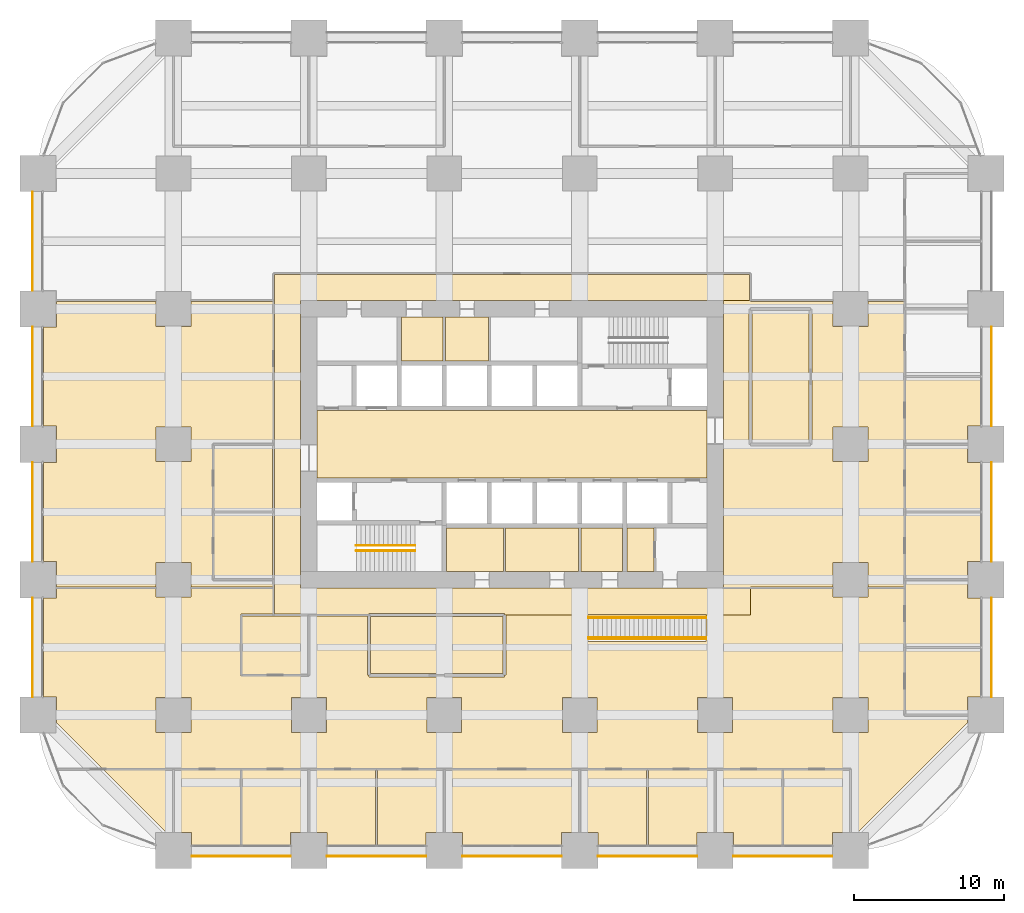
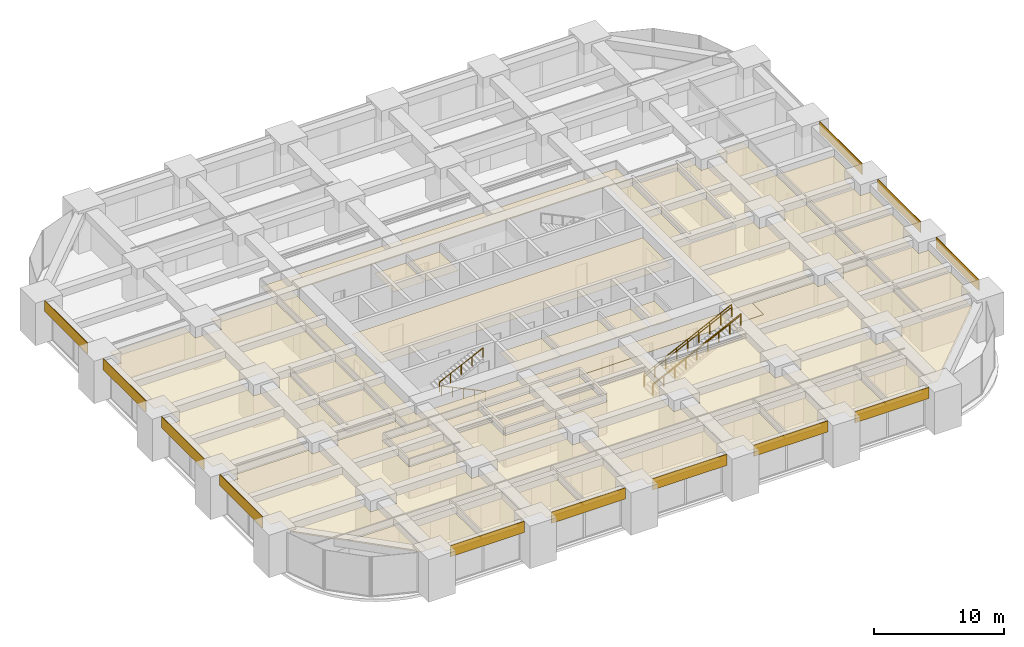
# One storey, part 44 of 45: 43 coverings, 6 railings.
"""IFC4 building model written with IfcOpenShell, lengths in metres."""

from ifc_helpers import new_model, si_unit, direction, frame, frame_2d, origin, origin_2d, place, context, subcontext, project, spatial, polyline, rectangle, circle, outline, extrude, material, layer, layer_set, type_object, element, save


model = new_model("IFC4")

# Units and contexts
model_context = context("Model", 3, precision=1e-05, world=origin(), true_north=direction((0.0, 1.0)))
body_context = subcontext(model_context, "Body", "Model", "MODEL_VIEW")
ifc_project = project(units=[si_unit("LENGTHUNIT", "METRE"), si_unit("AREAUNIT", "SQUARE_METRE"), si_unit("VOLUMEUNIT", "CUBIC_METRE"), si_unit("PLANEANGLEUNIT", "RADIAN"), si_unit("MASSUNIT", "GRAM", prefix="KILO")], contexts=[model_context])

# Site, building, storey
site_placement = place(None, origin())
site = spatial("IfcSite", under=ifc_project, at=site_placement, CompositionType="ELEMENT")
building_placement = place(site_placement, origin())
building = spatial("IfcBuilding", under=site, at=building_placement, Name="Zorevar Civic Tower", CompositionType="ELEMENT")
storey_placement = place(building_placement, frame((0.0, 0.0, 23.800048828125)))
storey = spatial("IfcBuildingStorey", under=building, at=storey_placement, Name="L05", CompositionType="ELEMENT", Elevation=23.800048828125)

# Railings
ifc_material_1 = material(Name="Laminated glass balustrade with black steel handrail", Category="steel")
railing_type_1 = type_object("IfcRailingType", Name="Balustrade BL1 1100", PredefinedType="BALUSTRADE", material=ifc_material_1)
for number, where, name in (
    (1, (36.60009765625, 14.080078125, 0.148193359375), "Balustrade BL1 interconnecting stair L05"),
    (2, (36.60009765625, 15.52001953125, 0.148193359375), "Balustrade BL1 interconnecting stair L05"),
):
    element("IfcRailing", number, at=place(storey_placement, frame(where)), inside=storey, type_object=railing_type_1, Name=name, PredefinedType="BALUSTRADE", context=body_context, shape_type="SweptSolid", body=[
        extrude(circle(Radius=0.02392578125, at=origin_2d()), frame((0.0, 0.0, 1.076171875), z_axis=(0.896627794226, 0.0, 0.442785047875), x_axis=(0.0, 1.0, 0.0)), (0.0, 0.0, 1.0), 8.698974609375),
        extrude(circle(Radius=0.02099609375, at=origin_2d()), origin(), (0.0, 0.0, 1.0), 1.052001953125),
        extrude(circle(Radius=0.02099609375, at=origin_2d()), frame((0.97509765625, 0.0, 0.4814453125)), (0.0, 0.0, 1.0), 1.052001953125),
        extrude(circle(Radius=0.02099609375, at=origin_2d()), frame((1.949951171875, 0.0, 0.962890625)), (0.0, 0.0, 1.0), 1.052001953125),
        extrude(circle(Radius=0.02099609375, at=origin_2d()), frame((2.9248046875, 0.0, 1.4443359375)), (0.0, 0.0, 1.0), 1.052001953125),
        extrude(circle(Radius=0.02099609375, at=origin_2d()), frame((3.89990234375, 0.0, 1.92578125)), (0.0, 0.0, 1.0), 1.052001953125),
        extrude(circle(Radius=0.02099609375, at=origin_2d()), frame((4.875, 0.0, 2.407470703125)), (0.0, 0.0, 1.0), 1.052001953125),
        extrude(circle(Radius=0.02099609375, at=origin_2d()), frame((5.849853515625, 0.0, 2.888916015625)), (0.0, 0.0, 1.0), 1.052001953125),
        extrude(circle(Radius=0.02099609375, at=origin_2d()), frame((6.82470703125, 0.0, 3.370361328125)), (0.0, 0.0, 1.0), 1.052001953125),
        extrude(circle(Radius=0.02099609375, at=origin_2d()), frame((7.7998046875, 0.0, 3.851806640625)), (0.0, 0.0, 1.0), 1.052001953125),
    ])
ifc_material_2 = material(Name="Black steel handrail", Category="steel")
railing_type_2 = type_object("IfcRailingType", Name="Handrail HR1 900", PredefinedType="HANDRAIL", material=ifc_material_2)
railing_1_placement = place(storey_placement, frame((25.050048828125, 19.925048828125, 0.142822265625)))
element("IfcRailing", 3, at=railing_1_placement, inside=storey, type_object=railing_type_2, Name="Handrail HR1 ST1 L05", PredefinedType="HANDRAIL", context=body_context, shape_type="SweptSolid", body=[
    extrude(circle(Radius=0.02392578125, at=origin_2d()), frame((0.0, 0.0, 0.8759765625), z_axis=(-0.902863652845, 0.0, 0.429926998885), x_axis=(0.0, -1.0, 0.0)), (0.0, 0.0, 1.0), 4.31982421875),
    extrude(circle(Radius=0.02099609375, at=origin_2d()), origin(), (0.0, 0.0, 1.0), 0.851806640625),
    extrude(circle(Radius=0.02099609375, at=origin_2d()), frame((-0.97509765625, 0.0, 0.46435546875)), (0.0, 0.0, 1.0), 0.851806640625),
    extrude(circle(Radius=0.02099609375, at=origin_2d()), frame((-1.9501953125, 0.0, 0.9287109375)), (0.0, 0.0, 1.0), 0.851806640625),
    extrude(circle(Radius=0.02099609375, at=origin_2d()), frame((-2.925048828125, 0.0, 1.392822265625)), (0.0, 0.0, 1.0), 0.851806640625),
    extrude(circle(Radius=0.02099609375, at=origin_2d()), frame((-3.900146484375, 0.0, 1.857177734375)), (0.0, 0.0, 1.0), 0.851806640625),
])
railing_2_placement = place(storey_placement, frame((21.14990234375, 20.27490234375, 2.142822265625)))
element("IfcRailing", 4, at=railing_2_placement, inside=storey, type_object=railing_type_2, Name="Handrail HR1 ST1 L05", PredefinedType="HANDRAIL", context=body_context, shape_type="SweptSolid", body=[
    extrude(circle(Radius=0.02392578125, at=origin_2d()), frame((0.0, 0.0, 0.8759765625), z_axis=(0.902863652845, 0.0, 0.429926998885), x_axis=(0.0, 1.0, 0.0)), (0.0, 0.0, 1.0), 4.31982421875),
    extrude(circle(Radius=0.02099609375, at=origin_2d()), origin(), (0.0, 0.0, 1.0), 0.851806640625),
    extrude(circle(Radius=0.02099609375, at=origin_2d()), frame((0.97509765625, 0.0, 0.46435546875)), (0.0, 0.0, 1.0), 0.851806640625),
    extrude(circle(Radius=0.02099609375, at=origin_2d()), frame((1.9501953125, 0.0, 0.9287109375)), (0.0, 0.0, 1.0), 0.851806640625),
    extrude(circle(Radius=0.02099609375, at=origin_2d()), frame((2.925048828125, 0.0, 1.392822265625)), (0.0, 0.0, 1.0), 0.851806640625),
    extrude(circle(Radius=0.02099609375, at=origin_2d()), frame((3.900146484375, 0.0, 1.857177734375)), (0.0, 0.0, 1.0), 0.851806640625),
])
for number, where, name in (
    (5, (36.60009765625, 14.14990234375, 0.148193359375), "Handrail HR1 interconnecting stair L05"),
    (6, (36.60009765625, 15.449951171875, 0.148193359375), "Handrail HR1 interconnecting stair L05"),
):
    element("IfcRailing", number, at=place(storey_placement, frame(where)), inside=storey, type_object=railing_type_2, Name=name, PredefinedType="HANDRAIL", context=body_context, shape_type="SweptSolid", body=[
        extrude(circle(Radius=0.02392578125, at=origin_2d()), frame((0.0, 0.0, 0.8759765625), z_axis=(0.896627794226, 0.0, 0.442785047875), x_axis=(0.0, 1.0, 0.0)), (0.0, 0.0, 1.0), 8.698974609375),
        extrude(circle(Radius=0.02099609375, at=origin_2d()), origin(), (0.0, 0.0, 1.0), 0.851806640625),
        extrude(circle(Radius=0.02099609375, at=origin_2d()), frame((0.97509765625, 0.0, 0.4814453125)), (0.0, 0.0, 1.0), 0.851806640625),
        extrude(circle(Radius=0.02099609375, at=origin_2d()), frame((1.949951171875, 0.0, 0.962890625)), (0.0, 0.0, 1.0), 0.851806640625),
        extrude(circle(Radius=0.02099609375, at=origin_2d()), frame((2.9248046875, 0.0, 1.4443359375)), (0.0, 0.0, 1.0), 0.851806640625),
        extrude(circle(Radius=0.02099609375, at=origin_2d()), frame((3.89990234375, 0.0, 1.92578125)), (0.0, 0.0, 1.0), 0.851806640625),
        extrude(circle(Radius=0.02099609375, at=origin_2d()), frame((4.875, 0.0, 2.407470703125)), (0.0, 0.0, 1.0), 0.851806640625),
        extrude(circle(Radius=0.02099609375, at=origin_2d()), frame((5.849853515625, 0.0, 2.888916015625)), (0.0, 0.0, 1.0), 0.851806640625),
        extrude(circle(Radius=0.02099609375, at=origin_2d()), frame((6.82470703125, 0.0, 3.370361328125)), (0.0, 0.0, 1.0), 0.851806640625),
        extrude(circle(Radius=0.02099609375, at=origin_2d()), frame((7.7998046875, 0.0, 3.851806640625)), (0.0, 0.0, 1.0), 0.851806640625),
    ])

# Coverings
ifc_material_3 = material(Name="Moisture-resistant gypsum board")
ifc_layer_1 = layer(ifc_material_3, 0.012451171875)
ifc_layer_set_1 = layer_set([ifc_layer_1], Name="Moisture-resistant ceiling SC3")
covering_type_1 = type_object("IfcCoveringType", Name="Moisture-resistant ceiling SC3", PredefinedType="CEILING", material=ifc_layer_set_1)
covering_1_placement = place(storey_placement, frame((0.0, 0.0, 3.0)))
element("IfcCovering", 7, at=covering_1_placement, inside=storey, type_object=covering_type_1, Name="Ceiling L05-05", PredefinedType="CEILING", context=body_context, shape_type="SweptSolid", body=[
    extrude(outline(polyline([(30.925048828125, 18.550048828125), (30.925048828125, 21.449951171875), (27.14990234375, 21.449951171875), (27.14990234375, 18.550048828125), (30.925048828125, 18.550048828125)])), origin(), (0.0, 0.0, 1.0), 0.012451171875),
])
covering_2_placement = place(storey_placement, frame((0.0, 0.0, 3.0)))
element("IfcCovering", 8, at=covering_2_placement, inside=storey, type_object=covering_type_1, Name="Ceiling L05-06", PredefinedType="CEILING", context=body_context, shape_type="SweptSolid", body=[
    extrude(outline(polyline([(35.925048828125, 18.550048828125), (35.925048828125, 21.449951171875), (31.074951171875, 21.449951171875), (31.074951171875, 18.550048828125), (35.925048828125, 18.550048828125)])), origin(), (0.0, 0.0, 1.0), 0.012451171875),
])
covering_3_placement = place(storey_placement, frame((0.0, 0.0, 3.0)))
element("IfcCovering", 9, at=covering_3_placement, inside=storey, type_object=covering_type_1, Name="Ceiling L05-07", PredefinedType="CEILING", context=body_context, shape_type="SweptSolid", body=[
    extrude(outline(polyline([(38.85009765625, 18.550048828125), (38.85009765625, 21.449951171875), (36.074951171875, 21.449951171875), (36.074951171875, 18.550048828125), (38.85009765625, 18.550048828125)])), origin(), (0.0, 0.0, 1.0), 0.012451171875),
])
covering_4_placement = place(storey_placement, frame((0.0, 0.0, 3.0)))
element("IfcCovering", 10, at=covering_4_placement, inside=storey, type_object=covering_type_1, Name="Ceiling L05-10", PredefinedType="CEILING", context=body_context, shape_type="SweptSolid", body=[
    extrude(outline(polyline([(26.925048828125, 32.550048828125), (26.925048828125, 35.449951171875), (24.14990234375, 35.449951171875), (24.14990234375, 32.550048828125), (26.925048828125, 32.550048828125)])), origin(), (0.0, 0.0, 1.0), 0.012451171875),
])
ifc_material_4 = material(Name="Black anodised aluminium spandrel panel", Category="aluminium")
ifc_layer_2 = layer(ifc_material_4, 0.050048828125)
ifc_layer_set_2 = layer_set([ifc_layer_2], Name="Spandrel cladding SP1")
covering_type_2 = type_object("IfcCoveringType", Name="Spandrel cladding SP1", PredefinedType="CLADDING", material=ifc_layer_set_2)
for number, where, z_axis, x_axis, name in (
    (11, (10.199951171875, -0.375, 2.949951171875), (0.0, 0.0, 1.0), (1.0, 0.0, 0.0), "Spandrel cladding L06"),
    (12, (19.199951171875, -0.375, 2.949951171875), (0.0, 0.0, 1.0), (1.0, 0.0, 0.0), "Spandrel cladding L06"),
    (13, (28.199951171875, -0.375, 2.949951171875), (0.0, 0.0, 1.0), (1.0, 0.0, 0.0), "Spandrel cladding L06"),
    (14, (37.199951171875, -0.375, 2.949951171875), (0.0, 0.0, 1.0), (1.0, 0.0, 0.0), "Spandrel cladding L06"),
    (15, (46.199951171875, -0.375, 2.949951171875), (0.0, 0.0, 1.0), (1.0, 0.0, 0.0), "Spandrel cladding L06"),
    (16, (-0.375, 10.199951171875, 2.949951171875), (0.0, 0.0, 1.0), (0.0, 1.0, 0.0), "Spandrel cladding L06"),
    (17, (-0.375, 19.199951171875, 2.949951171875), (0.0, 0.0, 1.0), (0.0, 1.0, 0.0), "Spandrel cladding L06"),
    (18, (-0.375, 28.199951171875, 2.949951171875), (0.0, 0.0, 1.0), (0.0, 1.0, 0.0), "Spandrel cladding L06"),
    (19, (-0.375, 37.199951171875, 2.949951171875), (0.0, 0.0, 1.0), (0.0, 1.0, 0.0), "Spandrel cladding L06"),
    (20, (63.375, 10.199951171875, 2.949951171875), (0.0, 0.0, 1.0), (0.0, 1.0, 0.0), "Spandrel cladding L06"),
    (21, (63.375, 19.199951171875, 2.949951171875), (0.0, 0.0, 1.0), (0.0, 1.0, 0.0), "Spandrel cladding L06"),
    (22, (63.375, 28.199951171875, 2.949951171875), (0.0, 0.0, 1.0), (0.0, 1.0, 0.0), "Spandrel cladding L06"),
):
    element("IfcCovering", number, at=place(storey_placement, frame(where, z_axis=z_axis, x_axis=x_axis)), inside=storey, type_object=covering_type_2, Name=name, PredefinedType="CLADDING", context=body_context, shape_type="SweptSolid", body=[
        extrude(rectangle(XDim=6.60009765625, YDim=0.050048828125, at=frame_2d((3.300048828125, 0.0))), origin(), (0.0, 0.0, 1.0), 1.050048828125),
    ])
ifc_material_5 = material(Name="Mineral fibre tiles on a concealed grid")
ifc_layer_3 = layer(ifc_material_5, 0.02001953125)
ifc_layer_set_3 = layer_set([ifc_layer_3], Name="Suspended ceiling SC1")
covering_type_3 = type_object("IfcCoveringType", Name="Suspended ceiling SC1", PredefinedType="CEILING", material=ifc_layer_set_3)
covering_5_placement = place(storey_placement, frame((0.0, 0.0, 3.0)))
element("IfcCovering", 23, at=covering_5_placement, inside=storey, type_object=covering_type_3, Name="Ceiling L05-09", PredefinedType="CEILING", context=body_context, shape_type="SweptSolid", body=[
    extrude(outline(polyline([(29.93994140625, 32.550048828125), (29.93994140625, 35.449951171875), (27.074951171875, 35.449951171875), (27.074951171875, 32.550048828125), (29.93994140625, 32.550048828125)])), origin(), (0.0, 0.0, 1.0), 0.02001953125),
])
covering_6_placement = place(storey_placement, frame((0.0, 0.0, 3.0)))
element("IfcCovering", 24, at=covering_6_placement, inside=storey, type_object=covering_type_3, Name="Ceiling L05-11", PredefinedType="CEILING", context=body_context, shape_type="SweptSolid", body=[
    extrude(outline(polyline([(40.93994140625, 18.550048828125), (40.93994140625, 21.449951171875), (39.14990234375, 21.449951171875), (39.14990234375, 18.550048828125), (40.93994140625, 18.550048828125)])), origin(), (0.0, 0.0, 1.0), 0.02001953125),
])
covering_7_placement = place(storey_placement, frame((0.0, 0.0, 3.0)))
element("IfcCovering", 25, at=covering_7_placement, inside=storey, type_object=covering_type_3, Name="Ceiling L05-16", PredefinedType="CEILING", context=body_context, shape_type="SweptSolid", body=[
    extrude(outline(polyline([(44.449951171875, 24.75), (44.449951171875, 29.25), (18.550048828125, 29.25), (18.550048828125, 24.75), (44.449951171875, 24.75)])), origin(), (0.0, 0.0, 1.0), 0.02001953125),
])
covering_8_placement = place(storey_placement, frame((0.0, 0.0, 3.0)))
element("IfcCovering", 26, at=covering_8_placement, inside=storey, type_object=covering_type_3, Name="Ceiling L05-17", PredefinedType="CEILING", context=body_context, shape_type="SweptSolid", body=[
    extrude(outline(polyline([(13.43994140625, 5.340087890625), (13.43994140625, 0.35009765625), (10.2099609375, 0.35009765625), (10.2099609375, 1.2099609375), (9.06005859375, 1.2099609375), (9.06005859375, 5.340087890625), (13.43994140625, 5.340087890625)])), origin(), (0.0, 0.0, 1.0), 0.02001953125),
])
covering_9_placement = place(storey_placement, frame((0.0, 0.0, 3.0)))
element("IfcCovering", 27, at=covering_9_placement, inside=storey, type_object=covering_type_3, Name="Ceiling L05-18", PredefinedType="CEILING", context=body_context, shape_type="SweptSolid", body=[
    extrude(outline(polyline([(17.93994140625, 5.340087890625), (17.93994140625, 1.2099609375), (16.7900390625, 1.2099609375), (16.7900390625, 0.35009765625), (13.56005859375, 0.35009765625), (13.56005859375, 5.340087890625), (17.93994140625, 5.340087890625)])), origin(), (0.0, 0.0, 1.0), 0.02001953125),
])
covering_10_placement = place(storey_placement, frame((0.0, 0.0, 3.0)))
element("IfcCovering", 28, at=covering_10_placement, inside=storey, type_object=covering_type_3, Name="Ceiling L05-19", PredefinedType="CEILING", context=body_context, shape_type="SweptSolid", body=[
    extrude(outline(polyline([(22.43994140625, 5.340087890625), (22.43994140625, 0.35009765625), (19.2099609375, 0.35009765625), (19.2099609375, 1.2099609375), (18.06005859375, 1.2099609375), (18.06005859375, 5.340087890625), (22.43994140625, 5.340087890625)])), origin(), (0.0, 0.0, 1.0), 0.02001953125),
])
covering_11_placement = place(storey_placement, frame((0.0, 0.0, 3.0)))
element("IfcCovering", 29, at=covering_11_placement, inside=storey, type_object=covering_type_3, Name="Ceiling L05-20", PredefinedType="CEILING", context=body_context, shape_type="SweptSolid", body=[
    extrude(outline(polyline([(26.93994140625, 5.340087890625), (26.93994140625, 1.2099609375), (25.7900390625, 1.2099609375), (25.7900390625, 0.35009765625), (22.56005859375, 0.35009765625), (22.56005859375, 5.340087890625), (26.93994140625, 5.340087890625)])), origin(), (0.0, 0.0, 1.0), 0.02001953125),
])
covering_12_placement = place(storey_placement, frame((0.0, 0.0, 3.0)))
element("IfcCovering", 30, at=covering_12_placement, inside=storey, type_object=covering_type_3, Name="Ceiling L05-21", PredefinedType="CEILING", context=body_context, shape_type="SweptSolid", body=[
    extrude(outline(polyline([(28.2099609375, 0.35009765625), (28.2099609375, 1.2099609375), (27.06005859375, 1.2099609375), (27.06005859375, 5.340087890625), (35.93994140625, 5.340087890625), (35.93994140625, 1.2099609375), (34.7900390625, 1.2099609375), (34.7900390625, 0.35009765625), (28.2099609375, 0.35009765625)])), origin(), (0.0, 0.0, 1.0), 0.02001953125),
])
covering_13_placement = place(storey_placement, frame((0.0, 0.0, 3.0)))
element("IfcCovering", 31, at=covering_13_placement, inside=storey, type_object=covering_type_3, Name="Ceiling L05-22", PredefinedType="CEILING", context=body_context, shape_type="SweptSolid", body=[
    extrude(outline(polyline([(40.43994140625, 5.340087890625), (40.43994140625, 0.35009765625), (37.2099609375, 0.35009765625), (37.2099609375, 1.2099609375), (36.06005859375, 1.2099609375), (36.06005859375, 5.340087890625), (40.43994140625, 5.340087890625)])), origin(), (0.0, 0.0, 1.0), 0.02001953125),
])
covering_14_placement = place(storey_placement, frame((0.0, 0.0, 3.0)))
element("IfcCovering", 32, at=covering_14_placement, inside=storey, type_object=covering_type_3, Name="Ceiling L05-23", PredefinedType="CEILING", context=body_context, shape_type="SweptSolid", body=[
    extrude(outline(polyline([(44.93994140625, 5.340087890625), (44.93994140625, 1.2099609375), (43.7900390625, 1.2099609375), (43.7900390625, 0.35009765625), (40.56005859375, 0.35009765625), (40.56005859375, 5.340087890625), (44.93994140625, 5.340087890625)])), origin(), (0.0, 0.0, 1.0), 0.02001953125),
])
covering_15_placement = place(storey_placement, frame((0.0, 0.0, 3.0)))
element("IfcCovering", 33, at=covering_15_placement, inside=storey, type_object=covering_type_3, Name="Ceiling L05-24", PredefinedType="CEILING", context=body_context, shape_type="SweptSolid", body=[
    extrude(outline(polyline([(49.43994140625, 5.340087890625), (49.43994140625, 0.35009765625), (46.2099609375, 0.35009765625), (46.2099609375, 1.2099609375), (45.06005859375, 1.2099609375), (45.06005859375, 5.340087890625), (49.43994140625, 5.340087890625)])), origin(), (0.0, 0.0, 1.0), 0.02001953125),
])
covering_16_placement = place(storey_placement, frame((0.0, 0.0, 3.0)))
element("IfcCovering", 34, at=covering_16_placement, inside=storey, type_object=covering_type_3, Name="Ceiling L05-25", PredefinedType="CEILING", context=body_context, shape_type="SweptSolid", body=[
    extrude(outline(polyline([(53.93994140625, 5.340087890625), (53.93994140625, 1.2099609375), (52.7900390625, 1.2099609375), (52.7900390625, 0.35009765625), (49.56005859375, 0.35009765625), (49.56005859375, 5.340087890625), (53.93994140625, 5.340087890625)])), origin(), (0.0, 0.0, 1.0), 0.02001953125),
])
covering_17_placement = place(storey_placement, frame((0.0, 0.0, 3.0)))
element("IfcCovering", 35, at=covering_17_placement, inside=storey, type_object=covering_type_3, Name="Ceiling L05-26", PredefinedType="CEILING", context=body_context, shape_type="SweptSolid", body=[
    extrude(outline(polyline([(8.93994140625, 5.340087890625), (8.93994140625, 1.2099609375), (8.4970703125, 1.2099609375), (4.3671875, 5.340087890625), (8.93994140625, 5.340087890625)])), origin(), (0.0, 0.0, 1.0), 0.02001953125),
])
covering_18_placement = place(storey_placement, frame((0.0, 0.0, 3.0)))
element("IfcCovering", 36, at=covering_18_placement, inside=storey, type_object=covering_type_3, Name="Ceiling L05-27", PredefinedType="CEILING", context=body_context, shape_type="SweptSolid", body=[
    extrude(outline(polyline([(22.10009765625, 11.75), (22.10009765625, 15.550048828125), (30.89990234375, 15.550048828125), (30.89990234375, 11.75), (22.10009765625, 11.75)])), origin(), (0.0, 0.0, 1.0), 0.02001953125),
])
covering_19_placement = place(storey_placement, frame((0.0, 0.0, 3.0)))
element("IfcCovering", 37, at=covering_19_placement, inside=storey, type_object=covering_type_3, Name="Ceiling L05-28", PredefinedType="CEILING", context=body_context, shape_type="SweptSolid", body=[
    extrude(outline(polyline([(13.56005859375, 15.590087890625), (17.93994140625, 15.590087890625), (17.93994140625, 11.7099609375), (13.56005859375, 11.7099609375), (13.56005859375, 15.590087890625)])), origin(), (0.0, 0.0, 1.0), 0.02001953125),
])
covering_20_placement = place(storey_placement, frame((0.0, 0.0, 3.0)))
element("IfcCovering", 38, at=covering_20_placement, inside=storey, type_object=covering_type_3, Name="Ceiling L05-29", PredefinedType="CEILING", context=body_context, shape_type="SweptSolid", body=[
    extrude(outline(polyline([(15.590087890625, 22.56005859375), (11.7099609375, 22.56005859375), (11.7099609375, 26.93994140625), (15.590087890625, 26.93994140625), (15.590087890625, 22.56005859375)])), origin(), (0.0, 0.0, 1.0), 0.02001953125),
])
covering_21_placement = place(storey_placement, frame((0.0, 0.0, 3.0)))
element("IfcCovering", 39, at=covering_21_placement, inside=storey, type_object=covering_type_3, Name="Ceiling L05-34", PredefinedType="CEILING", context=body_context, shape_type="SweptSolid", body=[
    extrude(outline(polyline([(11.7099609375, 18.06005859375), (11.7099609375, 22.43994140625), (15.590087890625, 22.43994140625), (15.590087890625, 18.06005859375), (11.7099609375, 18.06005859375)])), origin(), (0.0, 0.0, 1.0), 0.02001953125),
])
covering_22_placement = place(storey_placement, frame((0.0, 0.0, 3.0)))
element("IfcCovering", 40, at=covering_22_placement, inside=storey, type_object=covering_type_3, Name="Ceiling L05-35", PredefinedType="CEILING", context=body_context, shape_type="SweptSolid", body=[
    extrude(outline(polyline([(57.659912109375, 13.43994140625), (62.64990234375, 13.43994140625), (62.64990234375, 10.2099609375), (61.7900390625, 10.2099609375), (61.7900390625, 9.06005859375), (57.659912109375, 9.06005859375), (57.659912109375, 13.43994140625)])), origin(), (0.0, 0.0, 1.0), 0.02001953125),
])
covering_23_placement = place(storey_placement, frame((0.0, 0.0, 3.0)))
element("IfcCovering", 41, at=covering_23_placement, inside=storey, type_object=covering_type_3, Name="Ceiling L05-36", PredefinedType="CEILING", context=body_context, shape_type="SweptSolid", body=[
    extrude(outline(polyline([(57.659912109375, 17.93994140625), (61.7900390625, 17.93994140625), (61.7900390625, 16.7900390625), (62.64990234375, 16.7900390625), (62.64990234375, 13.56005859375), (57.659912109375, 13.56005859375), (57.659912109375, 17.93994140625)])), origin(), (0.0, 0.0, 1.0), 0.02001953125),
])
covering_24_placement = place(storey_placement, frame((0.0, 0.0, 3.0)))
element("IfcCovering", 42, at=covering_24_placement, inside=storey, type_object=covering_type_3, Name="Ceiling L05-37", PredefinedType="CEILING", context=body_context, shape_type="SweptSolid", body=[
    extrude(outline(polyline([(57.659912109375, 22.43994140625), (62.64990234375, 22.43994140625), (62.64990234375, 19.2099609375), (61.7900390625, 19.2099609375), (61.7900390625, 18.06005859375), (57.659912109375, 18.06005859375), (57.659912109375, 22.43994140625)])), origin(), (0.0, 0.0, 1.0), 0.02001953125),
])
covering_25_placement = place(storey_placement, frame((0.0, 0.0, 3.0)))
element("IfcCovering", 43, at=covering_25_placement, inside=storey, type_object=covering_type_3, Name="Ceiling L05-38", PredefinedType="CEILING", context=body_context, shape_type="SweptSolid", body=[
    extrude(outline(polyline([(57.659912109375, 26.93994140625), (61.7900390625, 26.93994140625), (61.7900390625, 25.7900390625), (62.64990234375, 25.7900390625), (62.64990234375, 22.56005859375), (57.659912109375, 22.56005859375), (57.659912109375, 26.93994140625)])), origin(), (0.0, 0.0, 1.0), 0.02001953125),
])
covering_26_placement = place(storey_placement, frame((0.0, 0.0, 3.0)))
element("IfcCovering", 44, at=covering_26_placement, inside=storey, type_object=covering_type_3, Name="Ceiling L05-39", PredefinedType="CEILING", context=body_context, shape_type="SweptSolid", body=[
    extrude(outline(polyline([(57.659912109375, 31.43994140625), (62.64990234375, 31.43994140625), (62.64990234375, 28.2099609375), (61.7900390625, 28.2099609375), (61.7900390625, 27.06005859375), (57.659912109375, 27.06005859375), (57.659912109375, 31.43994140625)])), origin(), (0.0, 0.0, 1.0), 0.02001953125),
])
covering_27_placement = place(storey_placement, frame((0.0, 0.0, 3.0)))
element("IfcCovering", 45, at=covering_27_placement, inside=storey, type_object=covering_type_3, Name="Ceiling L05-43", PredefinedType="CEILING", context=body_context, shape_type="SweptSolid", body=[
    extrude(outline(polyline([(47.449951171875, 35.89990234375), (51.25, 35.89990234375), (51.25, 27.10009765625), (47.449951171875, 27.10009765625), (47.449951171875, 35.89990234375)])), origin(), (0.0, 0.0, 1.0), 0.02001953125),
])
covering_28_placement = place(storey_placement, frame((0.0, 0.0, 3.0)))
element("IfcCovering", 46, at=covering_28_placement, inside=storey, type_object=covering_type_3, Name="Ceiling L05-45", PredefinedType="CEILING", context=body_context, shape_type="SweptSolid", body=[
    extrude(outline(polyline([(44.39990234375, 15.64990234375), (44.39990234375, 15.699951171875), (36.5, 15.699951171875), (36.5, 15.64990234375), (31.0, 15.64990234375), (31.0, 15.75), (22.0, 15.75), (22.0, 15.699951171875), (18.0, 15.699951171875), (18.0, 15.7099609375), (15.699951171875, 15.7099609375), (15.699951171875, 18.0), (15.7099609375, 18.0), (15.7099609375, 27.0), (15.699951171875, 27.0), (15.699951171875, 38.300048828125), (47.300048828125, 38.300048828125), (47.300048828125, 36.550048828125), (17.449951171875, 36.550048828125), (17.449951171875, 17.449951171875), (47.35009765625, 17.449951171875), (47.35009765625, 15.64990234375), (44.39990234375, 15.64990234375)])), origin(), (0.0, 0.0, 1.0), 0.02001953125),
])
covering_29_placement = place(storey_placement, frame((0.0, 0.0, 3.0)))
element("IfcCovering", 47, at=covering_29_placement, inside=storey, type_object=covering_type_3, Name="Ceiling L05-46", PredefinedType="CEILING", context=body_context, shape_type="SweptSolid", body=[
    extrude(outline(polyline([(55.159912109375, 19.159912109375), (52.840087890625, 19.159912109375), (52.840087890625, 17.5), (47.35009765625, 17.5), (47.35009765625, 17.449951171875), (45.550048828125, 17.449951171875), (45.550048828125, 36.550048828125), (47.35009765625, 36.550048828125), (47.35009765625, 36.5), (52.840087890625, 36.5), (52.840087890625, 34.840087890625), (55.159912109375, 34.840087890625), (55.159912109375, 36.5), (57.5400390625, 36.5), (57.5400390625, 17.5), (55.159912109375, 17.5), (55.159912109375, 19.159912109375)]), holes=[polyline([(51.449951171875, 27.0), (51.449951171875, 36.0), (51.35009765625, 36.0), (51.35009765625, 36.10009765625), (47.35009765625, 36.10009765625), (47.35009765625, 36.0), (47.25, 36.0), (47.25, 27.0), (47.35009765625, 27.0), (47.35009765625, 26.89990234375), (51.35009765625, 26.89990234375), (51.35009765625, 27.0), (51.449951171875, 27.0)]), polyline([(52.840087890625, 28.159912109375), (52.840087890625, 25.840087890625), (55.159912109375, 25.840087890625), (55.159912109375, 28.159912109375), (52.840087890625, 28.159912109375)])]), origin(), (0.0, 0.0, 1.0), 0.02001953125),
])
covering_30_placement = place(storey_placement, frame((0.0, 0.0, 3.0)))
element("IfcCovering", 48, at=covering_30_placement, inside=storey, type_object=covering_type_3, Name="Ceiling L05-48", PredefinedType="CEILING", context=body_context, shape_type="SweptSolid", body=[
    extrude(outline(polyline([(22.0, 11.550048828125), (31.0, 11.550048828125), (31.0, 11.64990234375), (31.10009765625, 11.64990234375), (31.10009765625, 15.64990234375), (36.5, 15.64990234375), (36.5, 13.89990234375), (44.39990234375, 13.89990234375), (44.39990234375, 15.64990234375), (47.35009765625, 15.64990234375), (47.35009765625, 17.39990234375), (52.840087890625, 17.39990234375), (52.840087890625, 16.840087890625), (55.159912109375, 16.840087890625), (55.159912109375, 17.39990234375), (57.5400390625, 17.39990234375), (57.5400390625, 9.0), (57.60009765625, 9.0), (57.60009765625, 8.93994140625), (61.7900390625, 8.93994140625), (61.7900390625, 8.4970703125), (54.5029296875, 1.2099609375), (54.06005859375, 1.2099609375), (54.06005859375, 5.39990234375), (54.0, 5.39990234375), (54.0, 5.4599609375), (4.2470703125, 5.4599609375), (1.2099609375, 8.4970703125), (1.2099609375, 10.2099609375), (0.35009765625, 10.2099609375), (0.35009765625, 16.7900390625), (1.2099609375, 16.7900390625), (1.2099609375, 17.39990234375), (7.840087890625, 17.39990234375), (7.840087890625, 16.840087890625), (10.159912109375, 16.840087890625), (10.159912109375, 17.39990234375), (15.60009765625, 17.39990234375), (15.60009765625, 15.7099609375), (13.5, 15.7099609375), (13.5, 15.64990234375), (13.43994140625, 15.64990234375), (13.43994140625, 11.64990234375), (13.5, 11.64990234375), (13.5, 11.590087890625), (18.0, 11.590087890625), (18.0, 11.64990234375), (18.06005859375, 11.64990234375), (18.06005859375, 15.60009765625), (21.89990234375, 15.60009765625), (21.89990234375, 11.64990234375), (22.0, 11.64990234375), (22.0, 11.550048828125)]), holes=[polyline([(10.159912109375, 10.159912109375), (7.840087890625, 10.159912109375), (7.840087890625, 7.840087890625), (10.159912109375, 7.840087890625), (10.159912109375, 10.159912109375)]), polyline([(16.840087890625, 7.840087890625), (19.159912109375, 7.840087890625), (19.159912109375, 10.159912109375), (16.840087890625, 10.159912109375), (16.840087890625, 7.840087890625)]), polyline([(25.840087890625, 10.159912109375), (25.840087890625, 7.840087890625), (28.159912109375, 7.840087890625), (28.159912109375, 10.159912109375), (25.840087890625, 10.159912109375)]), polyline([(37.159912109375, 10.159912109375), (34.840087890625, 10.159912109375), (34.840087890625, 7.840087890625), (37.159912109375, 7.840087890625), (37.159912109375, 10.159912109375)]), polyline([(46.159912109375, 7.840087890625), (46.159912109375, 10.159912109375), (43.840087890625, 10.159912109375), (43.840087890625, 7.840087890625), (46.159912109375, 7.840087890625)]), polyline([(52.840087890625, 10.159912109375), (52.840087890625, 7.840087890625), (55.159912109375, 7.840087890625), (55.159912109375, 10.159912109375), (52.840087890625, 10.159912109375)])]), origin(), (0.0, 0.0, 1.0), 0.02001953125),
])
covering_31_placement = place(storey_placement, frame((0.0, 0.0, 3.0)))
element("IfcCovering", 49, at=covering_31_placement, inside=storey, type_object=covering_type_3, Name="Ceiling L05-49", PredefinedType="CEILING", context=body_context, shape_type="SweptSolid", body=[
    extrude(outline(polyline([(10.159912109375, 19.159912109375), (7.840087890625, 19.159912109375), (7.840087890625, 17.5), (1.2099609375, 17.5), (1.2099609375, 19.2099609375), (0.35009765625, 19.2099609375), (0.35009765625, 25.7900390625), (1.2099609375, 25.7900390625), (1.2099609375, 28.2099609375), (0.35009765625, 28.2099609375), (0.35009765625, 34.7900390625), (1.2099609375, 34.7900390625), (1.2099609375, 36.5), (7.840087890625, 36.5), (7.840087890625, 34.840087890625), (10.159912109375, 34.840087890625), (10.159912109375, 36.5), (15.60009765625, 36.5), (15.60009765625, 27.06005859375), (11.64990234375, 27.06005859375), (11.64990234375, 27.0), (11.590087890625, 27.0), (11.590087890625, 18.0), (11.64990234375, 18.0), (11.64990234375, 17.93994140625), (15.60009765625, 17.93994140625), (15.60009765625, 17.5), (10.159912109375, 17.5), (10.159912109375, 19.159912109375)]), holes=[polyline([(7.840087890625, 28.159912109375), (7.840087890625, 25.840087890625), (10.159912109375, 25.840087890625), (10.159912109375, 28.159912109375), (7.840087890625, 28.159912109375)])]), origin(), (0.0, 0.0, 1.0), 0.02001953125),
])

save(model, "model.ifc")
